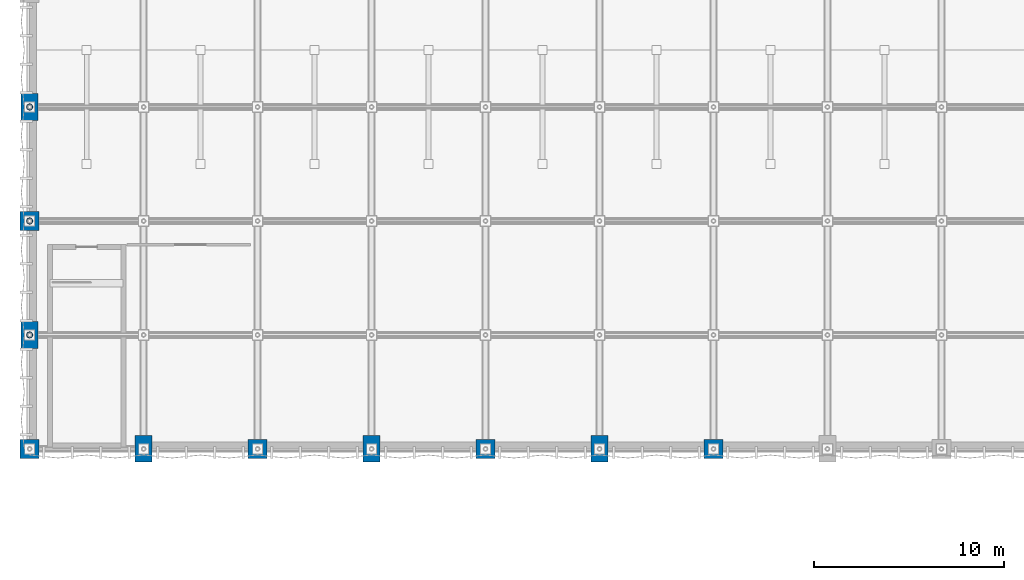
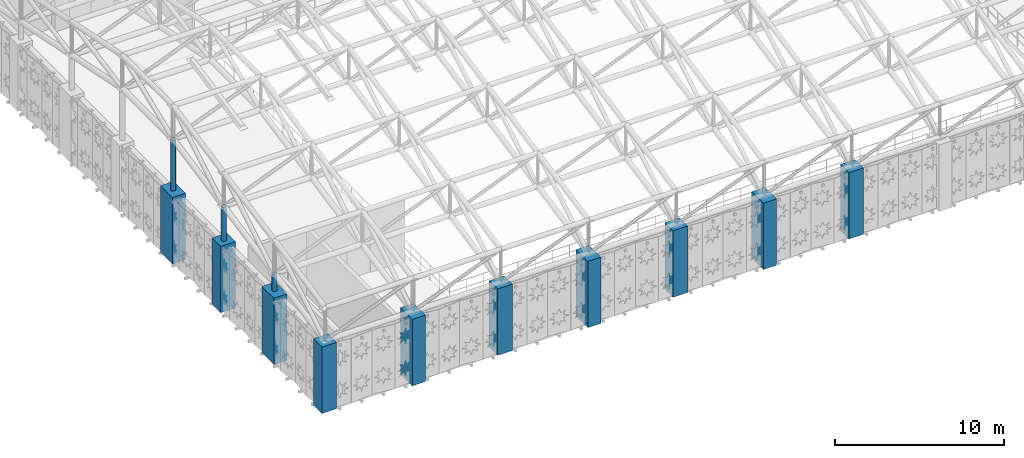
# One storey, part 1 of 112: 13 columns.
"""IFC4 building model written with IfcOpenShell, lengths in metres."""

from ifc_helpers import new_model, si_unit, direction, frame, origin, origin_2d, place, context, subcontext, project, spatial, rectangle, hollow_circle, extrude, material, material_profile, profile_set, type_object, element, save


model = new_model("IFC4")

# Units and contexts
model_context = context("Model", 3, precision=1e-05, world=origin(), true_north=direction((0.0, 1.0)))
body_context = subcontext(model_context, "Body", "Model", "MODEL_VIEW")
ifc_project = project(units=[si_unit("LENGTHUNIT", "METRE"), si_unit("AREAUNIT", "SQUARE_METRE"), si_unit("VOLUMEUNIT", "CUBIC_METRE"), si_unit("PLANEANGLEUNIT", "RADIAN"), si_unit("MASSUNIT", "GRAM", prefix="KILO"), si_unit("THERMODYNAMICTEMPERATUREUNIT", "KELVIN"), si_unit("POWERUNIT", "WATT")], contexts=[model_context])

# Site, building, storey
site_placement = place(None, origin())
site = spatial("IfcSite", under=ifc_project, at=site_placement, CompositionType="ELEMENT")
building_placement = place(site_placement, origin())
building = spatial("IfcBuilding", under=site, at=building_placement, Name="Phaisarnlok Congress Hotel", CompositionType="ELEMENT")
storey_placement = place(building_placement, frame((0.0, 0.0, 19.800048828125)))
storey = spatial("IfcBuildingStorey", under=building, at=storey_placement, Name="L04", CompositionType="ELEMENT", Elevation=19.800048828125)

# Columns
ifc_material_1 = material(Name="Concrete C50/60", Category="concrete")
ifc_material_profile_1 = material_profile(ifc_material_1, rectangle(XDim=1.0, YDim=1.0, at=origin_2d()), Name="RC 1000x1000")
ifc_profile_set_1 = profile_set([ifc_material_profile_1], Name="Concrete C50/60")
column_type_1 = type_object("IfcColumnType", Name="COL-RC-1000", PredefinedType="COLUMN", material=ifc_profile_set_1)
for number, where, z_axis, x_axis, name in (
    (1, (12.0, 42.0, 0.0), (0.0, 0.0, 1.0), (1.0, 0.0, 0.0), "Column C-09 (L04)"),
    (2, (24.0, 42.0, 0.0), (0.0, 0.0, 1.0), (1.0, 0.0, 0.0), "Column C-09 (L04)"),
    (3, (36.0, 42.0, 0.0), (0.0, 0.0, 1.0), (1.0, 0.0, 0.0), "Column C-09 (L04)"),
):
    element("IfcColumn", number, at=place(storey_placement, frame(where, z_axis=z_axis, x_axis=x_axis)), inside=storey, type_object=column_type_1, Name=name, PredefinedType="COLUMN", context=body_context, shape_type="SweptSolid", body=[
        extrude(rectangle(XDim=1.0, YDim=1.0, at=origin_2d()), origin(), (0.0, 0.0, 1.0), 4.800048828125),
    ])
ifc_material_profile_2 = material_profile(ifc_material_1, rectangle(XDim=1.0, YDim=1.0, at=origin_2d()), Name="RC 1000x1000")
ifc_profile_set_2 = profile_set([ifc_material_profile_2], Name="Concrete C50/60")
column_type_2 = type_object("IfcColumnType", Name="COL-RC-1000-EXT", PredefinedType="COLUMN", material=ifc_profile_set_2)
for number, where, z_axis, x_axis, name in (
    (4, (0.0, 42.0, 0.0), (0.0, 0.0, 1.0), (1.0, 0.0, 0.0), "Column C-09E (L04)"),
    (5, (0.0, 54.0, 0.0), (0.0, 0.0, 1.0), (1.0, 0.0, 0.0), "Column C-09E (L04)"),
):
    element("IfcColumn", number, at=place(storey_placement, frame(where, z_axis=z_axis, x_axis=x_axis)), inside=storey, type_object=column_type_2, Name=name, PredefinedType="COLUMN", context=body_context, shape_type="SweptSolid", body=[
        extrude(rectangle(XDim=1.0, YDim=1.0, at=origin_2d()), origin(), (0.0, 0.0, 1.0), 4.800048828125),
    ])
ifc_material_profile_3 = material_profile(ifc_material_1, rectangle(XDim=0.89990234375, YDim=1.39990234375, at=origin_2d()), Name="RC 900x1400")
ifc_profile_set_3 = profile_set([ifc_material_profile_3], Name="Concrete C50/60")
column_type_3 = type_object("IfcColumnType", Name="COL-RC-900x1400", PredefinedType="COLUMN", material=ifc_profile_set_3)
for number, where, z_axis, x_axis, name in (
    (6, (6.0, 42.0, 0.0), (0.0, 0.0, 1.0), (1.0, 0.0, 0.0), "Column C-12 (L04)"),
    (7, (18.0, 42.0, 0.0), (0.0, 0.0, 1.0), (1.0, 0.0, 0.0), "Column C-12 (L04)"),
    (8, (30.0, 42.0, 0.0), (0.0, 0.0, 1.0), (1.0, 0.0, 0.0), "Column C-12 (L04)"),
):
    element("IfcColumn", number, at=place(storey_placement, frame(where, z_axis=z_axis, x_axis=x_axis)), inside=storey, type_object=column_type_3, Name=name, PredefinedType="COLUMN", context=body_context, shape_type="SweptSolid", body=[
        extrude(rectangle(XDim=0.89990234375, YDim=1.39990234375, at=origin_2d()), origin(), (0.0, 0.0, 1.0), 4.800048828125),
    ])
ifc_material_profile_4 = material_profile(ifc_material_1, rectangle(XDim=0.89990234375, YDim=1.39990234375, at=origin_2d()), Name="RC 900x1400")
ifc_profile_set_4 = profile_set([ifc_material_profile_4], Name="Concrete C50/60")
column_type_4 = type_object("IfcColumnType", Name="COL-RC-900x1400-EXT", PredefinedType="COLUMN", material=ifc_profile_set_4)
for number, where, z_axis, x_axis, name in (
    (9, (0.0, 48.0, 0.0), (0.0, 0.0, 1.0), (1.0, 0.0, 0.0), "Column C-12E (L04)"),
    (10, (0.0, 60.0, 0.0), (0.0, 0.0, 1.0), (1.0, 0.0, 0.0), "Column C-12E (L04)"),
):
    element("IfcColumn", number, at=place(storey_placement, frame(where, z_axis=z_axis, x_axis=x_axis)), inside=storey, type_object=column_type_4, Name=name, PredefinedType="COLUMN", context=body_context, shape_type="SweptSolid", body=[
        extrude(rectangle(XDim=0.89990234375, YDim=1.39990234375, at=origin_2d()), origin(), (0.0, 0.0, 1.0), 4.800048828125),
    ])
ifc_material_2 = material(Name="Steel S355", Category="steel")
ifc_material_profile_5 = material_profile(ifc_material_2, hollow_circle(Radius=0.161865234375, WallThickness=0.01611328125, at=origin_2d()), Name="CHS 323.9x16")
ifc_profile_set_5 = profile_set([ifc_material_profile_5], Name="Steel S355")
column_type_5 = type_object("IfcColumnType", Name="COL-STL-CHS324-EXT", PredefinedType="COLUMN", material=ifc_profile_set_5)
column_1_placement = place(storey_placement, frame((0.0, 48.0, 4.800048828125), z_axis=(0.0, 0.0, 1.0), x_axis=(1.0, 0.0, 0.0)))
element("IfcColumn", 11, at=column_1_placement, inside=storey, type_object=column_type_5, Name="Congress Hall gable roof support post", PredefinedType="COLUMN", context=body_context, shape_type="SweptSolid", body=[
    extrude(hollow_circle(Radius=0.161865234375, WallThickness=0.01611328125, at=origin_2d()), origin(), (0.0, 0.0, 1.0), 1.220703125),
])
column_2_placement = place(storey_placement, frame((0.0, 54.0, 4.800048828125), z_axis=(0.0, 0.0, 1.0), x_axis=(1.0, 0.0, 0.0)))
element("IfcColumn", 12, at=column_2_placement, inside=storey, type_object=column_type_5, Name="Congress Hall gable roof support post", PredefinedType="COLUMN", context=body_context, shape_type="SweptSolid", body=[
    extrude(hollow_circle(Radius=0.161865234375, WallThickness=0.01611328125, at=origin_2d()), origin(), (0.0, 0.0, 1.0), 2.44140625),
])
column_3_placement = place(storey_placement, frame((0.0, 60.0, 4.800048828125), z_axis=(0.0, 0.0, 1.0), x_axis=(1.0, 0.0, 0.0)))
element("IfcColumn", 13, at=column_3_placement, inside=storey, type_object=column_type_5, Name="Congress Hall gable roof support post", PredefinedType="COLUMN", context=body_context, shape_type="SweptSolid", body=[
    extrude(hollow_circle(Radius=0.161865234375, WallThickness=0.01611328125, at=origin_2d()), origin(), (0.0, 0.0, 1.0), 3.662109375),
])

save(model, "model.ifc")
